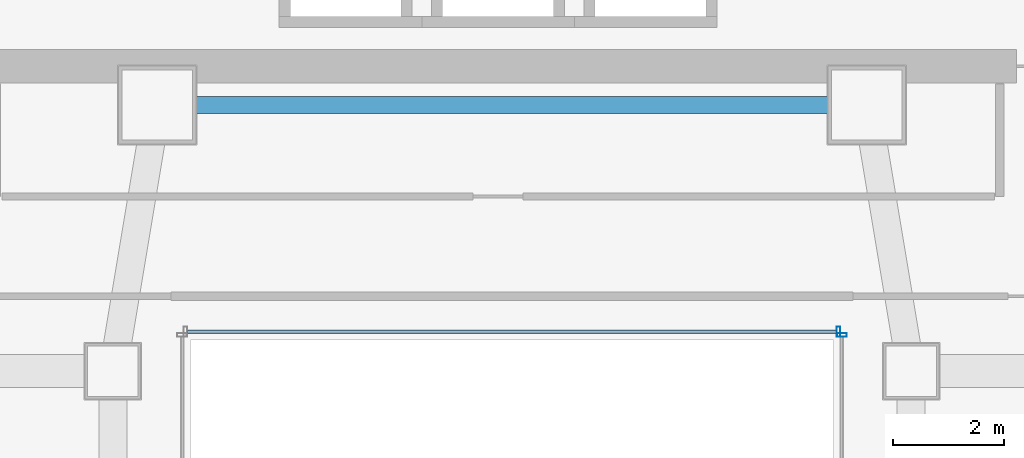
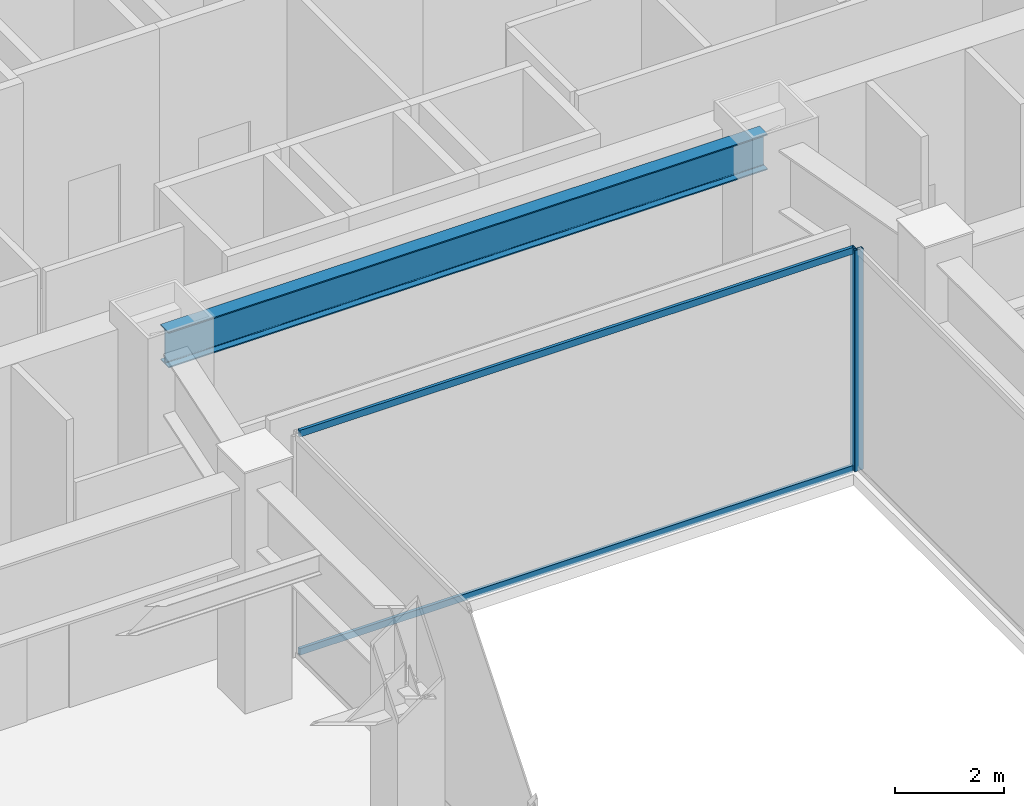
# One storey, part 28 of 42: 4 members, 1 beam, 2 elements without a shape of their own.
"""IFC4 building model written with IfcOpenShell, lengths in metres."""

import ifcopenshell
import ifcopenshell.guid

model = None  # the IFC model being written
_history = None  # IfcOwnerHistory: only IFC2X3 demands one
_inside = {}  # id of a spatial element -> (the spatial element, [elements in it])
_under = {}  # id of a project, library or spatial element -> (it, [spatial elements below it])
_declared = {}  # id of a project -> (the project, [libraries it declares])
_typed = {}  # id of a type object -> (the type object, [elements of that type])
_made_of = {}  # id of a material, layer set ... -> (it, [elements and type objects made of it])


def new_model(schema):
    """Start an empty IFC model of exactly this schema.

    Asked for "IFC4X3", IfcOpenShell would pick the latest addendum, in which some entities
    have other attributes; the version numbers below select the first issue.
    IFC2X3 requires an IfcOwnerHistory on every rooted entity: one is made here for all.
    """
    global model, _history
    if schema == "IFC4X3":
        model = ifcopenshell.file(schema_version=(4, 3, 0, 0))
    else:
        model = ifcopenshell.file(schema=schema)
    _inside.clear()
    _under.clear()
    _declared.clear()
    _typed.clear()
    _made_of.clear()
    _history = None
    if model.schema == "IFC2X3":
        org = make("IfcOrganization", Name="unknown")
        user = make(
            "IfcPersonAndOrganization",
            ThePerson=make("IfcPerson", FamilyName="unknown"),
            TheOrganization=org,
        )
        app = make(
            "IfcApplication",
            ApplicationDeveloper=org,
            Version="unknown",
            ApplicationFullName="unknown",
            ApplicationIdentifier="unknown",
        )
        _history = make(
            "IfcOwnerHistory",
            OwningUser=user,
            OwningApplication=app,
            ChangeAction="ADDED",
            CreationDate=0,
        )
    return model


def make(cls, **values):
    """One entity of the class cls with the attributes given. An attribute that is None is left unset."""
    return model.create_entity(
        cls, **{name: value for name, value in values.items() if value is not None}
    )


def rooted(cls, **values):
    """An entity with a GlobalId (a new one), such as an element, a storey or a relation."""
    return make(cls, GlobalId=ifcopenshell.guid.new(), OwnerHistory=_history, **values)


def si_unit(unit_type, name, prefix=None):
    """IfcSIUnit, for example si_unit("LENGTHUNIT", "METRE", prefix="MILLI")."""
    return make("IfcSIUnit", UnitType=unit_type, Prefix=prefix, Name=name)


def assignment(units):
    """IfcUnitAssignment: the units of a project."""
    return None if units is None else make("IfcUnitAssignment", Units=units)


def point(xyz):
    """IfcCartesianPoint."""
    return None if xyz is None else make("IfcCartesianPoint", Coordinates=xyz)


def direction(xyz):
    """IfcDirection."""
    return None if xyz is None else make("IfcDirection", DirectionRatios=xyz)


def frame(location, z_axis=None, x_axis=None):
    """IfcAxis2Placement3D, a coordinate frame: its origin and axes. An axis left out is left unset."""
    return make(
        "IfcAxis2Placement3D",
        Location=point(location),
        Axis=direction(z_axis),
        RefDirection=direction(x_axis),
    )


def frame_2d(location, x_axis=None):
    """IfcAxis2Placement2D, a coordinate frame in the plane: its origin and x axis."""
    return make(
        "IfcAxis2Placement2D", Location=point(location), RefDirection=direction(x_axis)
    )


def origin():
    """The frame at (0, 0, 0) with its axes left unset."""
    return frame((0.0, 0.0, 0.0))


def origin_2d():
    """The frame at (0, 0) in the plane with its x axis left unset."""
    return frame_2d((0.0, 0.0))


def place(relative_to, where):
    """IfcLocalPlacement: puts the frame where relative to a parent placement (None: the world)."""
    return make(
        "IfcLocalPlacement", PlacementRelTo=relative_to, RelativePlacement=where
    )


def context(
    kind, dimensions, precision=None, world=None, true_north=None, identifier=None
):
    """IfcGeometricRepresentationContext, for example the 3D "Model" context."""
    return make(
        "IfcGeometricRepresentationContext",
        ContextIdentifier=identifier,
        ContextType=kind,
        CoordinateSpaceDimension=dimensions,
        Precision=precision,
        WorldCoordinateSystem=world,
        TrueNorth=true_north,
    )


def subcontext(parent, identifier, kind, view, scale=None):
    """IfcGeometricRepresentationSubContext, for example "Body" below "Model"."""
    return make(
        "IfcGeometricRepresentationSubContext",
        ContextIdentifier=identifier,
        ContextType=kind,
        ParentContext=parent,
        TargetScale=scale,
        TargetView=view,
    )


def project(units=None, contexts=None):
    """IfcProject with its units and contexts."""
    return rooted(
        "IfcProject",
        Name="project",
        RepresentationContexts=contexts,
        UnitsInContext=assignment(units),
    )


def spatial(cls, under=None, at=None, **own):
    """A site, building, storey or space (cls), placed at a placement, below another one or the project."""
    s = rooted(cls, ObjectPlacement=at, **own)
    if under is not None:
        _under.setdefault(under.id(), (under, []))[1].append(s)
    return s


def profile(cls, at=None, kind="AREA", **sizes):
    """A parametric profile (cls). Its sizes go by their IFC names, for example OverallWidth=200.0."""
    return make(cls, ProfileType=kind, Position=at, **sizes)


def hollow_rectangle(**sizes):
    """IfcRectangleHollowProfileDef."""
    return profile("IfcRectangleHollowProfileDef", **sizes)


def i_section(**sizes):
    """IfcIShapeProfileDef."""
    return profile("IfcIShapeProfileDef", **sizes)


def extrude(swept, where, along, depth):
    """IfcExtrudedAreaSolid: the profile swept, set in the frame where, extruded along a direction by depth."""
    return make(
        "IfcExtrudedAreaSolid",
        SweptArea=swept,
        Position=where,
        ExtrudedDirection=direction(along),
        Depth=depth,
    )


def shape(context_of_items, identifier, shape_type, items):
    """IfcShapeRepresentation: the items that make up one representation, for example the "Body"."""
    return make(
        "IfcShapeRepresentation",
        ContextOfItems=context_of_items,
        RepresentationIdentifier=identifier,
        RepresentationType=shape_type,
        Items=items,
    )


def material(Name=None, Category=None):
    """IfcMaterial."""
    return make("IfcMaterial", Name=Name, Category=Category)


def material_profile(
    of_material, cross_section, Name=None, Category=None, Priority=None
):
    """IfcMaterialProfile: a cross section and its material."""
    return make(
        "IfcMaterialProfile",
        Name=Name,
        Material=of_material,
        Profile=cross_section,
        Priority=Priority,
        Category=Category,
    )


def profile_set(profiles, Name=None, composite=None):
    """IfcMaterialProfileSet."""
    return make(
        "IfcMaterialProfileSet",
        Name=Name,
        MaterialProfiles=profiles,
        CompositeProfile=composite,
    )


def made_of(thing, what):
    """Note that an element or type object is made of a material, layer set ...; save() writes the relation."""
    if what is not None:
        _made_of.setdefault(what.id(), (what, []))[1].append(thing)
    return thing


def type_object(cls, material=None, **own):
    """A type object (cls), such as IfcWallType, which elements share."""
    return made_of(rooted(cls, **own), material)


def element(
    cls,
    number,
    at=None,
    inside=None,
    cuts=None,
    type_object=None,
    material=None,
    context=None,
    identifier="Body",
    shape_type=None,
    held_by="IfcProductDefinitionShape",
    body=None,
    shapes=None,
    **own,
):
    """One element of the class cls, such as IfcWall. Its Tag is "e" and its number.

    at: its placement. inside: the storey or other place that contains it. cuts: it is an
    opening in that element (IfcRelVoidsElement). A single representation is given by context,
    identifier, shape_type and body (its items); several are given by shapes. held_by: the class
    of the entity that holds the representations. save() writes the other relations.
    """
    e = rooted(cls, Tag="e%d" % number, ObjectPlacement=at, **own)
    if body is not None:
        shapes = [shape(context, identifier, shape_type, body)]
    if shapes is not None:
        e.Representation = make(held_by, Representations=shapes)
    if inside is not None:
        _inside.setdefault(inside.id(), (inside, []))[1].append(e)
    if cuts is not None:
        rooted(
            "IfcRelVoidsElement", RelatingBuildingElement=cuts, RelatedOpeningElement=e
        )
    if type_object is not None:
        _typed.setdefault(type_object.id(), (type_object, []))[1].append(e)
    return made_of(e, material)


def aggregate(whole, parts):
    """IfcRelAggregates: a whole, such as a stair, and the parts it consists of."""
    return rooted("IfcRelAggregates", RelatingObject=whole, RelatedObjects=parts)


def save(model, path):
    """Write the relations noted so far, then the file.

    IfcRelAggregates (storeys below a building ...), IfcRelContainedInSpatialStructure (elements
    in a storey), IfcRelDefinesByType, IfcRelAssociatesMaterial and IfcRelDeclares: one each for
    every whole, place, type object, material and project.
    """
    for whole, parts in _under.values():
        aggregate(whole, parts)
    for where, things in _inside.values():
        rooted(
            "IfcRelContainedInSpatialStructure",
            RelatedElements=things,
            RelatingStructure=where,
        )
    for kind, things in _typed.values():
        rooted("IfcRelDefinesByType", RelatedObjects=things, RelatingType=kind)
    for what, things in _made_of.values():
        rooted("IfcRelAssociatesMaterial", RelatedObjects=things, RelatingMaterial=what)
    for by, libraries in _declared.values():
        rooted("IfcRelDeclares", RelatingContext=by, RelatedDefinitions=libraries)
    model.write(path)


model = new_model("IFC4")

# Units and contexts
model_context = context("Model", 3, precision=1e-05, world=origin(), true_north=direction((0.0, 1.0)))
body_context = subcontext(model_context, "Body", "Model", "MODEL_VIEW")
ifc_project = project(units=[si_unit("LENGTHUNIT", "METRE"), si_unit("AREAUNIT", "SQUARE_METRE"), si_unit("VOLUMEUNIT", "CUBIC_METRE"), si_unit("PLANEANGLEUNIT", "RADIAN"), si_unit("MASSUNIT", "GRAM", prefix="KILO")], contexts=[model_context])

# Site, building, storey
site_placement = place(None, origin())
site = spatial("IfcSite", under=ifc_project, at=site_placement, CompositionType="ELEMENT")
building_placement = place(site_placement, origin())
building = spatial("IfcBuilding", under=site, at=building_placement, Name="Saevonmaru Cultural Tower", CompositionType="ELEMENT")
storey_placement = place(building_placement, frame((0.0, 0.0, 33.0)))
storey = spatial("IfcBuildingStorey", under=building, at=storey_placement, Name="L06", CompositionType="ELEMENT", Elevation=33.0)

# Beam
ifc_material_1 = material(Name="Steel SM420", Category="steel")
ifc_material_profile_1 = material_profile(ifc_material_1, i_section(OverallWidth=0.300048828125, OverallDepth=0.800048828125, WebThickness=0.013916015625, FlangeThickness=0.02587890625, FilletRadius=0.028076171875, at=origin_2d()), Name="H-800x300x14x26")
ifc_profile_set_1 = profile_set([ifc_material_profile_1], Name="Steel SM420")
beam_type = type_object("IfcBeamType", Name="BM-G-H800", PredefinedType="BEAM", material=ifc_profile_set_1)
beam_placement = place(storey_placement, frame((23.659912109375, 42.39990234375, 4.550048828125), z_axis=(1.0, 0.0, 0.0), x_axis=(0.0, 1.0, 0.0)))
element("IfcBeam", 1, at=beam_placement, inside=storey, type_object=beam_type, Name="L06 Core South Girder 3", PredefinedType="BEAM", context=body_context, shape_type="SweptSolid", body=[
    extrude(i_section(OverallWidth=0.300048828125, OverallDepth=0.800048828125, WebThickness=0.013916015625, FlangeThickness=0.02587890625, FilletRadius=0.028076171875, at=origin_2d()), origin(), (0.0, 0.0, 1.0), 12.68017578125),
])

# Curtain wall, member
ifc_material_2 = material(Name="Satin Bronze Anodised Aluminium", Category="aluminium")
curtain_wall_type = type_object("IfcCurtainWallType", Name="CW-ATR-GLZ", PredefinedType="NOTDEFINED", material=ifc_material_2)
curtain_wall_1_placement = place(storey_placement, origin())
curtain_wall_1 = element("IfcCurtainWall", 2, at=curtain_wall_1_placement, inside=storey, type_object=curtain_wall_type, Name="L06 Vertical Atrium Glazed Smoke Screen 2", PredefinedType="NOTDEFINED")
ifc_material_profile_2 = material_profile(ifc_material_2, hollow_rectangle(XDim=0.06494140625, YDim=0.179931640625, WallThickness=0.00390625, at=origin_2d()), Name="ALU-MULL-180x65x4")
ifc_profile_set_2 = profile_set([ifc_material_profile_2], Name="Satin Bronze Anodised Aluminium")
member_type_1 = type_object("IfcMemberType", Name="ML-CW-INT-180x65", PredefinedType="MULLION", material=ifc_profile_set_2)
member_1_placement = place(storey_placement, frame((35.949951171875, 38.25, 0.0), z_axis=(0.0, 0.0, 1.0), x_axis=(0.0, 1.0, 0.0)))
member_1 = element("IfcMember", 3, at=member_1_placement, type_object=member_type_1, Name="CW-ATR-L06-2 mullion 3", PredefinedType="MULLION", context=body_context, shape_type="SweptSolid", body=[
    extrude(hollow_rectangle(XDim=0.06494140625, YDim=0.179931640625, WallThickness=0.00390625, at=origin_2d()), origin(), (0.0, 0.0, 1.0), 4.949951171875),
])
aggregate(curtain_wall_1, [member_1])

# Curtain wall, members
curtain_wall_2_placement = place(storey_placement, origin())
curtain_wall_2 = element("IfcCurtainWall", 4, at=curtain_wall_2_placement, inside=storey, type_object=curtain_wall_type, Name="L06 Vertical Atrium Glazed Smoke Screen 3", PredefinedType="NOTDEFINED")
member_2_placement = place(storey_placement, frame((35.889892578125, 38.31005859375, 0.0), z_axis=(0.0, 0.0, 1.0), x_axis=(-1.0, 0.0, 0.0)))
member_2 = element("IfcMember", 5, at=member_2_placement, type_object=member_type_1, Name="CW-ATR-L06-3 mullion 1", PredefinedType="MULLION", context=body_context, shape_type="SweptSolid", body=[
    extrude(hollow_rectangle(XDim=0.06494140625, YDim=0.179931640625, WallThickness=0.00390625, at=origin_2d()), origin(), (0.0, 0.0, 1.0), 4.949951171875),
])
ifc_material_profile_3 = material_profile(ifc_material_2, hollow_rectangle(XDim=0.06494140625, YDim=0.14990234375, WallThickness=0.00390625, at=origin_2d()), Name="ALU-TRAN-150x65x4")
ifc_profile_set_3 = profile_set([ifc_material_profile_3], Name="Satin Bronze Anodised Aluminium")
member_type_2 = type_object("IfcMemberType", Name="TR-CW-INT-150x65", PredefinedType="USERDEFINED", material=ifc_profile_set_3)
member_3_placement = place(storey_placement, frame((35.857421875, 38.31005859375, 0.032470703125), z_axis=(-1.0, 0.0, 0.0), x_axis=(0.0, -1.0, 0.0)))
member_3 = element("IfcMember", 6, at=member_3_placement, type_object=member_type_2, Name="CW-ATR-L06-3 transom 1.1", ObjectType="TRANSOM", PredefinedType="USERDEFINED", context=body_context, shape_type="SweptSolid", body=[
    extrude(hollow_rectangle(XDim=0.06494140625, YDim=0.14990234375, WallThickness=0.00390625, at=origin_2d()), origin(), (0.0, 0.0, 1.0), 11.71484375),
])
member_4_placement = place(storey_placement, frame((35.857421875, 38.31005859375, 4.91748046875), z_axis=(-1.0, 0.0, 0.0), x_axis=(0.0, -1.0, 0.0)))
member_4 = element("IfcMember", 7, at=member_4_placement, type_object=member_type_2, Name="CW-ATR-L06-3 transom 1.2", ObjectType="TRANSOM", PredefinedType="USERDEFINED", context=body_context, shape_type="SweptSolid", body=[
    extrude(hollow_rectangle(XDim=0.06494140625, YDim=0.14990234375, WallThickness=0.00390625, at=origin_2d()), origin(), (0.0, 0.0, 1.0), 11.71484375),
])
aggregate(curtain_wall_2, [member_2, member_3, member_4])

save(model, "model.ifc")
